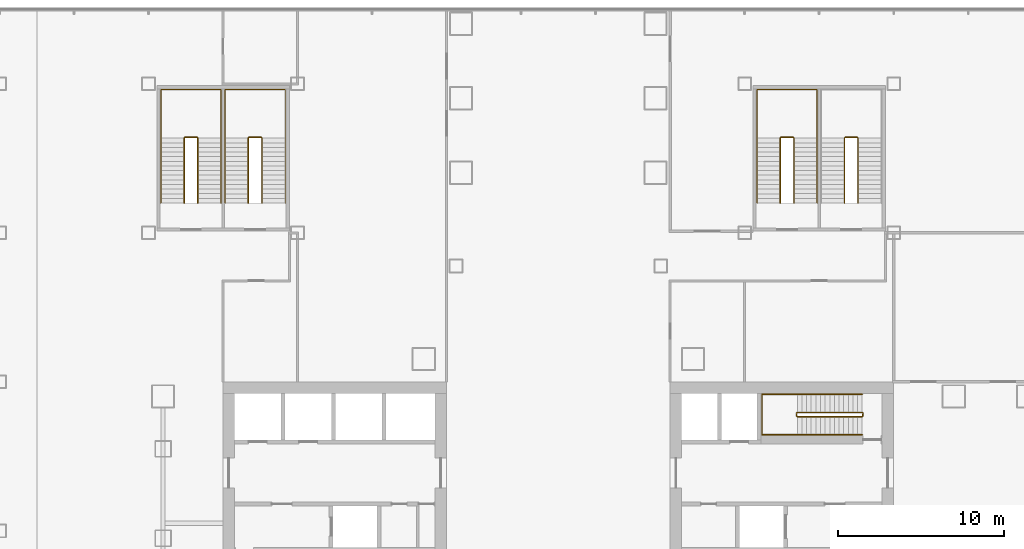
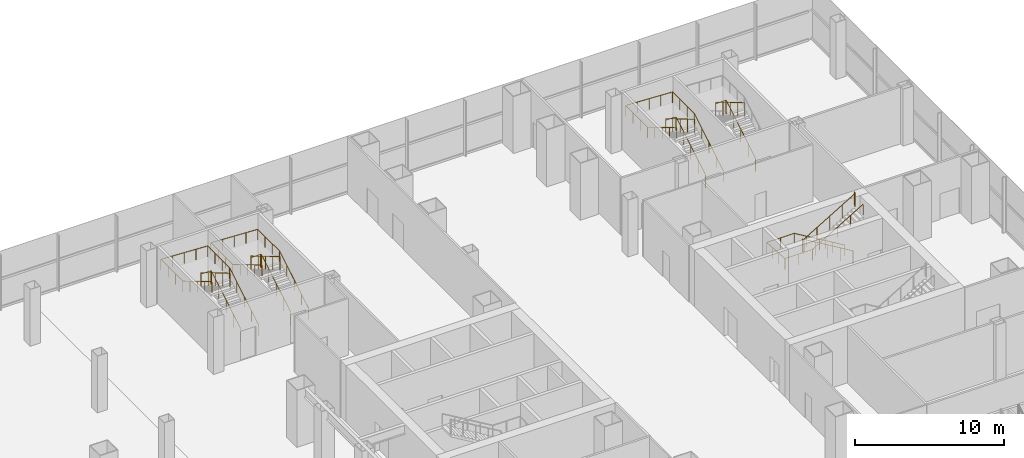
# One storey, part 29 of 30: 9 railings.
"""IFC4 building model written with IfcOpenShell, lengths in metres."""

from ifc_helpers import new_model, si_unit, direction, frame, origin, origin_2d, place, context, subcontext, project, spatial, circle, extrude, material, type_object, element, save


model = new_model("IFC4")

# Units and contexts
model_context = context("Model", 3, precision=1e-05, world=origin(), true_north=direction((0.0, 1.0)))
body_context = subcontext(model_context, "Body", "Model", "MODEL_VIEW")
ifc_project = project(units=[si_unit("LENGTHUNIT", "METRE"), si_unit("AREAUNIT", "SQUARE_METRE"), si_unit("VOLUMEUNIT", "CUBIC_METRE"), si_unit("PLANEANGLEUNIT", "RADIAN"), si_unit("MASSUNIT", "GRAM", prefix="KILO")], contexts=[model_context])

# Site, building, storey
site_placement = place(None, origin())
site = spatial("IfcSite", under=ifc_project, at=site_placement, CompositionType="ELEMENT")
building_placement = place(site_placement, origin())
building = spatial("IfcBuilding", under=site, at=building_placement, Name="Shamsa Quay Exchange Towers", CompositionType="ELEMENT")
storey_placement = place(building_placement, frame((0.0, 0.0, 23.5)))
storey = spatial("IfcBuildingStorey", under=building, at=storey_placement, Name="L04", CompositionType="ELEMENT", Elevation=23.5)

# Railings
ifc_material = material(Name="Stainless steel", Category="steel")
railing_type_1 = type_object("IfcRailingType", Name="STAIR GUARD 1100", PredefinedType="GUARDRAIL", material=ifc_material)
railing_1_placement = place(storey_placement, frame((52.10009765625, 4.89990234375, 0.166748046875)))
element("IfcRailing", 1, at=railing_1_placement, inside=storey, type_object=railing_type_1, Name="L04 ST6 stair guard 1", PredefinedType="GUARDRAIL", context=body_context, shape_type="SweptSolid", body=[
    extrude(circle(Radius=0.02392578125, at=origin_2d()), frame((0.0, 0.0, 1.076171875), z_axis=(-0.859310244771, 0.0, 0.511454693235), x_axis=(0.0, -1.0, 0.0)), (0.0, 0.0, 1.0), 4.56201171875),
    extrude(circle(Radius=0.02392578125, at=origin_2d()), frame((-3.920166015625, 0.0, 3.4091796875), z_axis=(-0.708833529934, -0.705375805398, 0.0), x_axis=(0.705375805398, -0.708833529934, 0.0)), (0.0, 0.0, 1.0), 0.070556640625),
    extrude(circle(Radius=0.02392578125, at=origin_2d()), frame((-3.97021484375, -0.0498046875, 3.4091796875), z_axis=(0.0, -1.0, 0.0), x_axis=(1.0, 0.0, 0.0)), (0.0, 0.0, 1.0), 0.150146484375),
    extrude(circle(Radius=0.02392578125, at=origin_2d()), frame((-3.97021484375, -0.199951171875, 3.4091796875), z_axis=(0.27628659633, -0.27628659633, 0.920506074601), x_axis=(0.707106781187, 0.707106781187, 0.0)), (0.0, 0.0, 1.0), 0.18115234375),
    extrude(circle(Radius=0.02392578125, at=origin_2d()), frame((-3.920166015625, -0.25, 3.576171875), z_axis=(0.859310244771, 0.0, 0.511454693235), x_axis=(0.0, 1.0, 0.0)), (0.0, 0.0, 1.0), 4.56201171875),
    extrude(circle(Radius=0.02392578125, at=origin_2d()), frame((0.0, -0.25, 5.9091796875), z_axis=(0.24142163986, 0.970420317083, 0.0), x_axis=(-0.970420317083, 0.24142163986, 0.0)), (0.0, 0.0, 1.0), 0.206298828125),
    extrude(circle(Radius=0.02392578125, at=origin_2d()), frame((0.0498046875, -0.0498046875, 5.9091796875), z_axis=(0.0, -1.0, 0.0), x_axis=(1.0, 0.0, 0.0)), (0.0, 0.0, 1.0), 0.150146484375),
    extrude(circle(Radius=0.02099609375, at=origin_2d()), origin(), (0.0, 0.0, 1.0), 1.052001953125),
    extrude(circle(Radius=0.02099609375, at=origin_2d()), frame((-0.97998046875, 0.0, 0.583251953125)), (0.0, 0.0, 1.0), 1.052001953125),
    extrude(circle(Radius=0.02099609375, at=origin_2d()), frame((-1.9599609375, 0.0, 1.16650390625)), (0.0, 0.0, 1.0), 1.052001953125),
    extrude(circle(Radius=0.02099609375, at=origin_2d()), frame((-2.940185546875, 0.0, 1.75)), (0.0, 0.0, 1.0), 1.052001953125),
    extrude(circle(Radius=0.02099609375, at=origin_2d()), frame((-3.920166015625, 0.0, 2.333251953125)), (0.0, 0.0, 1.0), 1.052001953125),
    extrude(circle(Radius=0.02099609375, at=origin_2d()), frame((-3.97021484375, -0.0498046875, 2.333251953125)), (0.0, 0.0, 1.0), 1.052001953125),
    extrude(circle(Radius=0.02099609375, at=origin_2d()), frame((-3.97021484375, -0.199951171875, 2.333251953125)), (0.0, 0.0, 1.0), 1.052001953125),
    extrude(circle(Radius=0.02099609375, at=origin_2d()), frame((-3.920166015625, -0.25, 2.5)), (0.0, 0.0, 1.0), 1.052001953125),
    extrude(circle(Radius=0.02099609375, at=origin_2d()), frame((-2.940185546875, -0.25, 3.083251953125)), (0.0, 0.0, 1.0), 1.052001953125),
    extrude(circle(Radius=0.02099609375, at=origin_2d()), frame((-1.9599609375, -0.25, 3.66650390625)), (0.0, 0.0, 1.0), 1.052001953125),
    extrude(circle(Radius=0.02099609375, at=origin_2d()), frame((-0.97998046875, -0.25, 4.25)), (0.0, 0.0, 1.0), 1.052001953125),
    extrude(circle(Radius=0.02099609375, at=origin_2d()), frame((0.0, -0.25, 4.833251953125)), (0.0, 0.0, 1.0), 1.052001953125),
    extrude(circle(Radius=0.02099609375, at=origin_2d()), frame((0.0498046875, -0.0498046875, 4.833251953125)), (0.0, 0.0, 1.0), 1.052001953125),
    extrude(circle(Radius=0.02099609375, at=origin_2d()), frame((0.0498046875, -0.199951171875, 4.833251953125)), (0.0, 0.0, 1.0), 1.052001953125),
])
railing_2_placement = place(storey_placement, frame((11.97509765625, 17.550048828125, 0.166748046875)))
element("IfcRailing", 2, at=railing_2_placement, inside=storey, type_object=railing_type_1, Name="L04 PS3A stair guard 1", PredefinedType="GUARDRAIL", context=body_context, shape_type="SweptSolid", body=[
    extrude(circle(Radius=0.02392578125, at=origin_2d()), frame((0.0, 0.0, 1.076171875), z_axis=(0.0, 0.859296244711, 0.511478214419), x_axis=(-1.0, 0.0, 0.0)), (0.0, 0.0, 1.0), 4.561767578125),
    extrude(circle(Radius=0.02392578125, at=origin_2d()), frame((0.0, 3.919921875, 3.4091796875), z_axis=(-0.707106781187, 0.707106781187, 0.0), x_axis=(-0.707106781187, -0.707106781187, 0.0)), (0.0, 0.0, 1.0), 0.07080078125),
    extrude(circle(Radius=0.02392578125, at=origin_2d()), frame((-0.050048828125, 3.969970703125, 3.4091796875), z_axis=(-1.0, 0.0, 0.0), x_axis=(0.0, -1.0, 0.0)), (0.0, 0.0, 1.0), 0.72509765625),
    extrude(circle(Radius=0.02392578125, at=origin_2d()), frame((-0.775146484375, 3.969970703125, 3.4091796875), z_axis=(-0.27628659633, -0.27628659633, 0.920506074601), x_axis=(0.707106781187, -0.707106781187, 0.0)), (0.0, 0.0, 1.0), 0.18115234375),
    extrude(circle(Radius=0.02392578125, at=origin_2d()), frame((-0.8251953125, 3.919921875, 3.576171875), z_axis=(0.0, -0.859296244711, 0.511478214419), x_axis=(1.0, 0.0, 0.0)), (0.0, 0.0, 1.0), 4.561767578125),
    extrude(circle(Radius=0.02099609375, at=origin_2d()), origin(), (0.0, 0.0, 1.0), 1.052001953125),
    extrude(circle(Radius=0.02099609375, at=origin_2d()), frame((0.0, 0.97998046875, 0.583251953125)), (0.0, 0.0, 1.0), 1.052001953125),
    extrude(circle(Radius=0.02099609375, at=origin_2d()), frame((0.0, 1.9599609375, 1.16650390625)), (0.0, 0.0, 1.0), 1.052001953125),
    extrude(circle(Radius=0.02099609375, at=origin_2d()), frame((0.0, 2.93994140625, 1.75)), (0.0, 0.0, 1.0), 1.052001953125),
    extrude(circle(Radius=0.02099609375, at=origin_2d()), frame((0.0, 3.919921875, 2.333251953125)), (0.0, 0.0, 1.0), 1.052001953125),
    extrude(circle(Radius=0.02099609375, at=origin_2d()), frame((-0.050048828125, 3.969970703125, 2.333251953125)), (0.0, 0.0, 1.0), 1.052001953125),
    extrude(circle(Radius=0.02099609375, at=origin_2d()), frame((-0.775146484375, 3.969970703125, 2.333251953125)), (0.0, 0.0, 1.0), 1.052001953125),
    extrude(circle(Radius=0.02099609375, at=origin_2d()), frame((-0.8251953125, 3.919921875, 2.5)), (0.0, 0.0, 1.0), 1.052001953125),
    extrude(circle(Radius=0.02099609375, at=origin_2d()), frame((-0.8251953125, 2.93994140625, 3.083251953125)), (0.0, 0.0, 1.0), 1.052001953125),
    extrude(circle(Radius=0.02099609375, at=origin_2d()), frame((-0.8251953125, 1.9599609375, 3.66650390625)), (0.0, 0.0, 1.0), 1.052001953125),
    extrude(circle(Radius=0.02099609375, at=origin_2d()), frame((-0.8251953125, 0.97998046875, 4.25)), (0.0, 0.0, 1.0), 1.052001953125),
    extrude(circle(Radius=0.02099609375, at=origin_2d()), frame((-0.8251953125, 0.0, 4.833251953125)), (0.0, 0.0, 1.0), 1.052001953125),
])
railing_3_placement = place(storey_placement, frame((15.85009765625, 17.550048828125, 0.166748046875)))
element("IfcRailing", 3, at=railing_3_placement, inside=storey, type_object=railing_type_1, Name="L04 PS3B stair guard 1", PredefinedType="GUARDRAIL", context=body_context, shape_type="SweptSolid", body=[
    extrude(circle(Radius=0.02392578125, at=origin_2d()), frame((0.0, 0.0, 1.076171875), z_axis=(0.0, 0.859296244711, 0.511478214419), x_axis=(-1.0, 0.0, 0.0)), (0.0, 0.0, 1.0), 4.561767578125),
    extrude(circle(Radius=0.02392578125, at=origin_2d()), frame((0.0, 3.919921875, 3.4091796875), z_axis=(-0.707106781187, 0.707106781187, 0.0), x_axis=(-0.707106781187, -0.707106781187, 0.0)), (0.0, 0.0, 1.0), 0.07080078125),
    extrude(circle(Radius=0.02392578125, at=origin_2d()), frame((-0.050048828125, 3.969970703125, 3.4091796875), z_axis=(-1.0, 0.0, 0.0), x_axis=(0.0, -1.0, 0.0)), (0.0, 0.0, 1.0), 0.72509765625),
    extrude(circle(Radius=0.02392578125, at=origin_2d()), frame((-0.775146484375, 3.969970703125, 3.4091796875), z_axis=(-0.27628659633, -0.27628659633, 0.920506074601), x_axis=(0.707106781187, -0.707106781187, 0.0)), (0.0, 0.0, 1.0), 0.18115234375),
    extrude(circle(Radius=0.02392578125, at=origin_2d()), frame((-0.8251953125, 3.919921875, 3.576171875), z_axis=(0.0, -0.859296244711, 0.511478214419), x_axis=(1.0, 0.0, 0.0)), (0.0, 0.0, 1.0), 4.561767578125),
    extrude(circle(Radius=0.02099609375, at=origin_2d()), origin(), (0.0, 0.0, 1.0), 1.052001953125),
    extrude(circle(Radius=0.02099609375, at=origin_2d()), frame((0.0, 0.97998046875, 0.583251953125)), (0.0, 0.0, 1.0), 1.052001953125),
    extrude(circle(Radius=0.02099609375, at=origin_2d()), frame((0.0, 1.9599609375, 1.16650390625)), (0.0, 0.0, 1.0), 1.052001953125),
    extrude(circle(Radius=0.02099609375, at=origin_2d()), frame((0.0, 2.93994140625, 1.75)), (0.0, 0.0, 1.0), 1.052001953125),
    extrude(circle(Radius=0.02099609375, at=origin_2d()), frame((0.0, 3.919921875, 2.333251953125)), (0.0, 0.0, 1.0), 1.052001953125),
    extrude(circle(Radius=0.02099609375, at=origin_2d()), frame((-0.050048828125, 3.969970703125, 2.333251953125)), (0.0, 0.0, 1.0), 1.052001953125),
    extrude(circle(Radius=0.02099609375, at=origin_2d()), frame((-0.775146484375, 3.969970703125, 2.333251953125)), (0.0, 0.0, 1.0), 1.052001953125),
    extrude(circle(Radius=0.02099609375, at=origin_2d()), frame((-0.8251953125, 3.919921875, 2.5)), (0.0, 0.0, 1.0), 1.052001953125),
    extrude(circle(Radius=0.02099609375, at=origin_2d()), frame((-0.8251953125, 2.93994140625, 3.083251953125)), (0.0, 0.0, 1.0), 1.052001953125),
    extrude(circle(Radius=0.02099609375, at=origin_2d()), frame((-0.8251953125, 1.9599609375, 3.66650390625)), (0.0, 0.0, 1.0), 1.052001953125),
    extrude(circle(Radius=0.02099609375, at=origin_2d()), frame((-0.8251953125, 0.97998046875, 4.25)), (0.0, 0.0, 1.0), 1.052001953125),
    extrude(circle(Radius=0.02099609375, at=origin_2d()), frame((-0.8251953125, 0.0, 4.833251953125)), (0.0, 0.0, 1.0), 1.052001953125),
])
railing_4_placement = place(storey_placement, frame((47.97509765625, 17.550048828125, 0.166748046875)))
element("IfcRailing", 4, at=railing_4_placement, inside=storey, type_object=railing_type_1, Name="L04 PS4A stair guard 1", PredefinedType="GUARDRAIL", context=body_context, shape_type="SweptSolid", body=[
    extrude(circle(Radius=0.02392578125, at=origin_2d()), frame((0.0, 0.0, 1.076171875), z_axis=(0.0, 0.859296244711, 0.511478214419), x_axis=(-1.0, 0.0, 0.0)), (0.0, 0.0, 1.0), 4.561767578125),
    extrude(circle(Radius=0.02392578125, at=origin_2d()), frame((0.0, 3.919921875, 3.4091796875), z_axis=(-0.707106781187, 0.707106781187, 0.0), x_axis=(-0.707106781187, -0.707106781187, 0.0)), (0.0, 0.0, 1.0), 0.07080078125),
    extrude(circle(Radius=0.02392578125, at=origin_2d()), frame((-0.050048828125, 3.969970703125, 3.4091796875), z_axis=(-1.0, 0.0, 0.0), x_axis=(0.0, -1.0, 0.0)), (0.0, 0.0, 1.0), 0.72509765625),
    extrude(circle(Radius=0.02392578125, at=origin_2d()), frame((-0.775146484375, 3.969970703125, 3.4091796875), z_axis=(-0.27628659633, -0.27628659633, 0.920506074601), x_axis=(0.707106781187, -0.707106781187, 0.0)), (0.0, 0.0, 1.0), 0.18115234375),
    extrude(circle(Radius=0.02392578125, at=origin_2d()), frame((-0.8251953125, 3.919921875, 3.576171875), z_axis=(0.0, -0.859296244711, 0.511478214419), x_axis=(1.0, 0.0, 0.0)), (0.0, 0.0, 1.0), 4.561767578125),
    extrude(circle(Radius=0.02099609375, at=origin_2d()), origin(), (0.0, 0.0, 1.0), 1.052001953125),
    extrude(circle(Radius=0.02099609375, at=origin_2d()), frame((0.0, 0.97998046875, 0.583251953125)), (0.0, 0.0, 1.0), 1.052001953125),
    extrude(circle(Radius=0.02099609375, at=origin_2d()), frame((0.0, 1.9599609375, 1.16650390625)), (0.0, 0.0, 1.0), 1.052001953125),
    extrude(circle(Radius=0.02099609375, at=origin_2d()), frame((0.0, 2.93994140625, 1.75)), (0.0, 0.0, 1.0), 1.052001953125),
    extrude(circle(Radius=0.02099609375, at=origin_2d()), frame((0.0, 3.919921875, 2.333251953125)), (0.0, 0.0, 1.0), 1.052001953125),
    extrude(circle(Radius=0.02099609375, at=origin_2d()), frame((-0.050048828125, 3.969970703125, 2.333251953125)), (0.0, 0.0, 1.0), 1.052001953125),
    extrude(circle(Radius=0.02099609375, at=origin_2d()), frame((-0.775146484375, 3.969970703125, 2.333251953125)), (0.0, 0.0, 1.0), 1.052001953125),
    extrude(circle(Radius=0.02099609375, at=origin_2d()), frame((-0.8251953125, 3.919921875, 2.5)), (0.0, 0.0, 1.0), 1.052001953125),
    extrude(circle(Radius=0.02099609375, at=origin_2d()), frame((-0.8251953125, 2.93994140625, 3.083251953125)), (0.0, 0.0, 1.0), 1.052001953125),
    extrude(circle(Radius=0.02099609375, at=origin_2d()), frame((-0.8251953125, 1.9599609375, 3.66650390625)), (0.0, 0.0, 1.0), 1.052001953125),
    extrude(circle(Radius=0.02099609375, at=origin_2d()), frame((-0.8251953125, 0.97998046875, 4.25)), (0.0, 0.0, 1.0), 1.052001953125),
    extrude(circle(Radius=0.02099609375, at=origin_2d()), frame((-0.8251953125, 0.0, 4.833251953125)), (0.0, 0.0, 1.0), 1.052001953125),
])
railing_5_placement = place(storey_placement, frame((51.85009765625, 17.550048828125, 0.166748046875)))
element("IfcRailing", 5, at=railing_5_placement, inside=storey, type_object=railing_type_1, Name="L04 PS4B stair guard 1", PredefinedType="GUARDRAIL", context=body_context, shape_type="SweptSolid", body=[
    extrude(circle(Radius=0.02392578125, at=origin_2d()), frame((0.0, 0.0, 1.076171875), z_axis=(0.0, 0.859296244711, 0.511478214419), x_axis=(-1.0, 0.0, 0.0)), (0.0, 0.0, 1.0), 4.561767578125),
    extrude(circle(Radius=0.02392578125, at=origin_2d()), frame((0.0, 3.919921875, 3.4091796875), z_axis=(-0.707106781187, 0.707106781187, 0.0), x_axis=(-0.707106781187, -0.707106781187, 0.0)), (0.0, 0.0, 1.0), 0.07080078125),
    extrude(circle(Radius=0.02392578125, at=origin_2d()), frame((-0.050048828125, 3.969970703125, 3.4091796875), z_axis=(-1.0, 0.0, 0.0), x_axis=(0.0, -1.0, 0.0)), (0.0, 0.0, 1.0), 0.72509765625),
    extrude(circle(Radius=0.02392578125, at=origin_2d()), frame((-0.775146484375, 3.969970703125, 3.4091796875), z_axis=(-0.27628659633, -0.27628659633, 0.920506074601), x_axis=(0.707106781187, -0.707106781187, 0.0)), (0.0, 0.0, 1.0), 0.18115234375),
    extrude(circle(Radius=0.02392578125, at=origin_2d()), frame((-0.8251953125, 3.919921875, 3.576171875), z_axis=(0.0, -0.859296244711, 0.511478214419), x_axis=(1.0, 0.0, 0.0)), (0.0, 0.0, 1.0), 4.561767578125),
    extrude(circle(Radius=0.02099609375, at=origin_2d()), origin(), (0.0, 0.0, 1.0), 1.052001953125),
    extrude(circle(Radius=0.02099609375, at=origin_2d()), frame((0.0, 0.97998046875, 0.583251953125)), (0.0, 0.0, 1.0), 1.052001953125),
    extrude(circle(Radius=0.02099609375, at=origin_2d()), frame((0.0, 1.9599609375, 1.16650390625)), (0.0, 0.0, 1.0), 1.052001953125),
    extrude(circle(Radius=0.02099609375, at=origin_2d()), frame((0.0, 2.93994140625, 1.75)), (0.0, 0.0, 1.0), 1.052001953125),
    extrude(circle(Radius=0.02099609375, at=origin_2d()), frame((0.0, 3.919921875, 2.333251953125)), (0.0, 0.0, 1.0), 1.052001953125),
    extrude(circle(Radius=0.02099609375, at=origin_2d()), frame((-0.050048828125, 3.969970703125, 2.333251953125)), (0.0, 0.0, 1.0), 1.052001953125),
    extrude(circle(Radius=0.02099609375, at=origin_2d()), frame((-0.775146484375, 3.969970703125, 2.333251953125)), (0.0, 0.0, 1.0), 1.052001953125),
    extrude(circle(Radius=0.02099609375, at=origin_2d()), frame((-0.8251953125, 3.919921875, 2.5)), (0.0, 0.0, 1.0), 1.052001953125),
    extrude(circle(Radius=0.02099609375, at=origin_2d()), frame((-0.8251953125, 2.93994140625, 3.083251953125)), (0.0, 0.0, 1.0), 1.052001953125),
    extrude(circle(Radius=0.02099609375, at=origin_2d()), frame((-0.8251953125, 1.9599609375, 3.66650390625)), (0.0, 0.0, 1.0), 1.052001953125),
    extrude(circle(Radius=0.02099609375, at=origin_2d()), frame((-0.8251953125, 0.97998046875, 4.25)), (0.0, 0.0, 1.0), 1.052001953125),
    extrude(circle(Radius=0.02099609375, at=origin_2d()), frame((-0.8251953125, 0.0, 4.833251953125)), (0.0, 0.0, 1.0), 1.052001953125),
])
railing_type_2 = type_object("IfcRailingType", Name="STAIR HANDRAIL 900", PredefinedType="HANDRAIL", material=ifc_material)
railing_6_placement = place(storey_placement, frame((52.10009765625, 6.0, 0.166748046875)))
element("IfcRailing", 6, at=railing_6_placement, inside=storey, type_object=railing_type_2, Name="L04 ST6 stair handrail 1", PredefinedType="HANDRAIL", context=body_context, shape_type="SweptSolid", body=[
    extrude(circle(Radius=0.02392578125, at=origin_2d()), frame((0.0, 0.0, 0.8759765625), z_axis=(-0.859310244771, 0.0, 0.511454693235), x_axis=(0.0, -1.0, 0.0)), (0.0, 0.0, 1.0), 4.56201171875),
    extrude(circle(Radius=0.02392578125, at=origin_2d()), frame((-3.920166015625, 0.0, 3.208984375), z_axis=(-1.0, 0.0, 0.0), x_axis=(0.0, -1.0, 0.0)), (0.0, 0.0, 1.0), 2.1298828125),
    extrude(circle(Radius=0.02392578125, at=origin_2d()), frame((-6.050048828125, 0.0, 3.208984375), z_axis=(0.0, -0.997691813052, 0.067904684436), x_axis=(1.0, 0.0, 0.0)), (0.0, 0.0, 1.0), 2.45556640625),
    extrude(circle(Radius=0.02392578125, at=origin_2d()), frame((-6.050048828125, -2.449951171875, 3.3759765625), z_axis=(1.0, 0.0, 0.0), x_axis=(0.0, 1.0, 0.0)), (0.0, 0.0, 1.0), 2.1298828125),
    extrude(circle(Radius=0.02392578125, at=origin_2d()), frame((-3.920166015625, -2.449951171875, 3.3759765625), z_axis=(0.859310244771, 0.0, 0.511454693235), x_axis=(0.0, 1.0, 0.0)), (0.0, 0.0, 1.0), 4.56201171875),
    extrude(circle(Radius=0.02099609375, at=origin_2d()), origin(), (0.0, 0.0, 1.0), 0.851806640625),
    extrude(circle(Radius=0.02099609375, at=origin_2d()), frame((-0.97998046875, 0.0, 0.583251953125)), (0.0, 0.0, 1.0), 0.851806640625),
    extrude(circle(Radius=0.02099609375, at=origin_2d()), frame((-1.9599609375, 0.0, 1.16650390625)), (0.0, 0.0, 1.0), 0.851806640625),
    extrude(circle(Radius=0.02099609375, at=origin_2d()), frame((-2.940185546875, 0.0, 1.75)), (0.0, 0.0, 1.0), 0.851806640625),
    extrude(circle(Radius=0.02099609375, at=origin_2d()), frame((-3.920166015625, 0.0, 2.333251953125)), (0.0, 0.0, 1.0), 0.851806640625),
    extrude(circle(Radius=0.02099609375, at=origin_2d()), frame((-4.985107421875, 0.0, 2.333251953125)), (0.0, 0.0, 1.0), 0.851806640625),
    extrude(circle(Radius=0.02099609375, at=origin_2d()), frame((-6.050048828125, 0.0, 2.333251953125)), (0.0, 0.0, 1.0), 0.851806640625),
    extrude(circle(Radius=0.02099609375, at=origin_2d()), frame((-6.050048828125, -0.816650390625, 2.388916015625)), (0.0, 0.0, 1.0), 0.851806640625),
    extrude(circle(Radius=0.02099609375, at=origin_2d()), frame((-6.050048828125, -1.63330078125, 2.4443359375)), (0.0, 0.0, 1.0), 0.851806640625),
    extrude(circle(Radius=0.02099609375, at=origin_2d()), frame((-6.050048828125, -2.449951171875, 2.5)), (0.0, 0.0, 1.0), 0.851806640625),
    extrude(circle(Radius=0.02099609375, at=origin_2d()), frame((-4.985107421875, -2.449951171875, 2.5)), (0.0, 0.0, 1.0), 0.851806640625),
    extrude(circle(Radius=0.02099609375, at=origin_2d()), frame((-3.920166015625, -2.449951171875, 2.5)), (0.0, 0.0, 1.0), 0.851806640625),
    extrude(circle(Radius=0.02099609375, at=origin_2d()), frame((-2.940185546875, -2.449951171875, 3.083251953125)), (0.0, 0.0, 1.0), 0.851806640625),
    extrude(circle(Radius=0.02099609375, at=origin_2d()), frame((-1.9599609375, -2.449951171875, 3.66650390625)), (0.0, 0.0, 1.0), 0.851806640625),
    extrude(circle(Radius=0.02099609375, at=origin_2d()), frame((-0.97998046875, -2.449951171875, 4.25)), (0.0, 0.0, 1.0), 0.851806640625),
    extrude(circle(Radius=0.02099609375, at=origin_2d()), frame((0.0, -2.449951171875, 4.833251953125)), (0.0, 0.0, 1.0), 0.851806640625),
])
railing_7_placement = place(storey_placement, frame((13.375, 17.550048828125, 0.166748046875)))
element("IfcRailing", 7, at=railing_7_placement, inside=storey, type_object=railing_type_2, Name="L04 PS3A stair handrail 1", PredefinedType="HANDRAIL", context=body_context, shape_type="SweptSolid", body=[
    extrude(circle(Radius=0.02392578125, at=origin_2d()), frame((0.0, 0.0, 0.8759765625), z_axis=(0.0, 0.859296244711, 0.511478214419), x_axis=(-1.0, 0.0, 0.0)), (0.0, 0.0, 1.0), 4.561767578125),
    extrude(circle(Radius=0.02392578125, at=origin_2d()), frame((0.0, 3.919921875, 3.208984375), z_axis=(0.0, 1.0, 0.0), x_axis=(-1.0, 0.0, 0.0)), (0.0, 0.0, 1.0), 2.929931640625),
    extrude(circle(Radius=0.02392578125, at=origin_2d()), frame((0.0, 6.849853515625, 3.208984375), z_axis=(-0.998943700797, 0.0, 0.045950872013), x_axis=(0.0, -1.0, 0.0)), (0.0, 0.0, 1.0), 3.62890625),
    extrude(circle(Radius=0.02392578125, at=origin_2d()), frame((-3.625, 6.849853515625, 3.3759765625), z_axis=(0.0, -1.0, 0.0), x_axis=(1.0, 0.0, 0.0)), (0.0, 0.0, 1.0), 2.929931640625),
    extrude(circle(Radius=0.02392578125, at=origin_2d()), frame((-3.625, 3.919921875, 3.3759765625), z_axis=(0.0, -0.859296244711, 0.511478214419), x_axis=(1.0, 0.0, 0.0)), (0.0, 0.0, 1.0), 4.561767578125),
    extrude(circle(Radius=0.02099609375, at=origin_2d()), origin(), (0.0, 0.0, 1.0), 0.851806640625),
    extrude(circle(Radius=0.02099609375, at=origin_2d()), frame((0.0, 0.97998046875, 0.583251953125)), (0.0, 0.0, 1.0), 0.851806640625),
    extrude(circle(Radius=0.02099609375, at=origin_2d()), frame((0.0, 1.9599609375, 1.16650390625)), (0.0, 0.0, 1.0), 0.851806640625),
    extrude(circle(Radius=0.02099609375, at=origin_2d()), frame((0.0, 2.93994140625, 1.75)), (0.0, 0.0, 1.0), 0.851806640625),
    extrude(circle(Radius=0.02099609375, at=origin_2d()), frame((0.0, 3.919921875, 2.333251953125)), (0.0, 0.0, 1.0), 0.851806640625),
    extrude(circle(Radius=0.02099609375, at=origin_2d()), frame((0.0, 4.896484375, 2.333251953125)), (0.0, 0.0, 1.0), 0.851806640625),
    extrude(circle(Radius=0.02099609375, at=origin_2d()), frame((0.0, 5.873291015625, 2.333251953125)), (0.0, 0.0, 1.0), 0.851806640625),
    extrude(circle(Radius=0.02099609375, at=origin_2d()), frame((0.0, 6.849853515625, 2.333251953125)), (0.0, 0.0, 1.0), 0.851806640625),
    extrude(circle(Radius=0.02099609375, at=origin_2d()), frame((-0.90625, 6.849853515625, 2.375)), (0.0, 0.0, 1.0), 0.851806640625),
    extrude(circle(Radius=0.02099609375, at=origin_2d()), frame((-1.8125, 6.849853515625, 2.41650390625)), (0.0, 0.0, 1.0), 0.851806640625),
    extrude(circle(Radius=0.02099609375, at=origin_2d()), frame((-2.71875, 6.849853515625, 2.458251953125)), (0.0, 0.0, 1.0), 0.851806640625),
    extrude(circle(Radius=0.02099609375, at=origin_2d()), frame((-3.625, 6.849853515625, 2.5)), (0.0, 0.0, 1.0), 0.851806640625),
    extrude(circle(Radius=0.02099609375, at=origin_2d()), frame((-3.625, 5.873291015625, 2.5)), (0.0, 0.0, 1.0), 0.851806640625),
    extrude(circle(Radius=0.02099609375, at=origin_2d()), frame((-3.625, 4.896484375, 2.5)), (0.0, 0.0, 1.0), 0.851806640625),
    extrude(circle(Radius=0.02099609375, at=origin_2d()), frame((-3.625, 3.919921875, 2.5)), (0.0, 0.0, 1.0), 0.851806640625),
    extrude(circle(Radius=0.02099609375, at=origin_2d()), frame((-3.625, 2.93994140625, 3.083251953125)), (0.0, 0.0, 1.0), 0.851806640625),
    extrude(circle(Radius=0.02099609375, at=origin_2d()), frame((-3.625, 1.9599609375, 3.66650390625)), (0.0, 0.0, 1.0), 0.851806640625),
    extrude(circle(Radius=0.02099609375, at=origin_2d()), frame((-3.625, 0.97998046875, 4.25)), (0.0, 0.0, 1.0), 0.851806640625),
    extrude(circle(Radius=0.02099609375, at=origin_2d()), frame((-3.625, 0.0, 4.833251953125)), (0.0, 0.0, 1.0), 0.851806640625),
])
railing_8_placement = place(storey_placement, frame((17.25, 17.550048828125, 0.166748046875)))
element("IfcRailing", 8, at=railing_8_placement, inside=storey, type_object=railing_type_2, Name="L04 PS3B stair handrail 1", PredefinedType="HANDRAIL", context=body_context, shape_type="SweptSolid", body=[
    extrude(circle(Radius=0.02392578125, at=origin_2d()), frame((0.0, 0.0, 0.8759765625), z_axis=(0.0, 0.859296244711, 0.511478214419), x_axis=(-1.0, 0.0, 0.0)), (0.0, 0.0, 1.0), 4.561767578125),
    extrude(circle(Radius=0.02392578125, at=origin_2d()), frame((0.0, 3.919921875, 3.208984375), z_axis=(0.0, 1.0, 0.0), x_axis=(-1.0, 0.0, 0.0)), (0.0, 0.0, 1.0), 2.929931640625),
    extrude(circle(Radius=0.02392578125, at=origin_2d()), frame((0.0, 6.849853515625, 3.208984375), z_axis=(-0.998943700797, 0.0, 0.045950872013), x_axis=(0.0, -1.0, 0.0)), (0.0, 0.0, 1.0), 3.62890625),
    extrude(circle(Radius=0.02392578125, at=origin_2d()), frame((-3.625, 6.849853515625, 3.3759765625), z_axis=(0.0, -1.0, 0.0), x_axis=(1.0, 0.0, 0.0)), (0.0, 0.0, 1.0), 2.929931640625),
    extrude(circle(Radius=0.02392578125, at=origin_2d()), frame((-3.625, 3.919921875, 3.3759765625), z_axis=(0.0, -0.859296244711, 0.511478214419), x_axis=(1.0, 0.0, 0.0)), (0.0, 0.0, 1.0), 4.561767578125),
    extrude(circle(Radius=0.02099609375, at=origin_2d()), origin(), (0.0, 0.0, 1.0), 0.851806640625),
    extrude(circle(Radius=0.02099609375, at=origin_2d()), frame((0.0, 0.97998046875, 0.583251953125)), (0.0, 0.0, 1.0), 0.851806640625),
    extrude(circle(Radius=0.02099609375, at=origin_2d()), frame((0.0, 1.9599609375, 1.16650390625)), (0.0, 0.0, 1.0), 0.851806640625),
    extrude(circle(Radius=0.02099609375, at=origin_2d()), frame((0.0, 2.93994140625, 1.75)), (0.0, 0.0, 1.0), 0.851806640625),
    extrude(circle(Radius=0.02099609375, at=origin_2d()), frame((0.0, 3.919921875, 2.333251953125)), (0.0, 0.0, 1.0), 0.851806640625),
    extrude(circle(Radius=0.02099609375, at=origin_2d()), frame((0.0, 4.896484375, 2.333251953125)), (0.0, 0.0, 1.0), 0.851806640625),
    extrude(circle(Radius=0.02099609375, at=origin_2d()), frame((0.0, 5.873291015625, 2.333251953125)), (0.0, 0.0, 1.0), 0.851806640625),
    extrude(circle(Radius=0.02099609375, at=origin_2d()), frame((0.0, 6.849853515625, 2.333251953125)), (0.0, 0.0, 1.0), 0.851806640625),
    extrude(circle(Radius=0.02099609375, at=origin_2d()), frame((-0.90625, 6.849853515625, 2.375)), (0.0, 0.0, 1.0), 0.851806640625),
    extrude(circle(Radius=0.02099609375, at=origin_2d()), frame((-1.8125, 6.849853515625, 2.41650390625)), (0.0, 0.0, 1.0), 0.851806640625),
    extrude(circle(Radius=0.02099609375, at=origin_2d()), frame((-2.71875, 6.849853515625, 2.458251953125)), (0.0, 0.0, 1.0), 0.851806640625),
    extrude(circle(Radius=0.02099609375, at=origin_2d()), frame((-3.625, 6.849853515625, 2.5)), (0.0, 0.0, 1.0), 0.851806640625),
    extrude(circle(Radius=0.02099609375, at=origin_2d()), frame((-3.625, 5.873291015625, 2.5)), (0.0, 0.0, 1.0), 0.851806640625),
    extrude(circle(Radius=0.02099609375, at=origin_2d()), frame((-3.625, 4.896484375, 2.5)), (0.0, 0.0, 1.0), 0.851806640625),
    extrude(circle(Radius=0.02099609375, at=origin_2d()), frame((-3.625, 3.919921875, 2.5)), (0.0, 0.0, 1.0), 0.851806640625),
    extrude(circle(Radius=0.02099609375, at=origin_2d()), frame((-3.625, 2.93994140625, 3.083251953125)), (0.0, 0.0, 1.0), 0.851806640625),
    extrude(circle(Radius=0.02099609375, at=origin_2d()), frame((-3.625, 1.9599609375, 3.66650390625)), (0.0, 0.0, 1.0), 0.851806640625),
    extrude(circle(Radius=0.02099609375, at=origin_2d()), frame((-3.625, 0.97998046875, 4.25)), (0.0, 0.0, 1.0), 0.851806640625),
    extrude(circle(Radius=0.02099609375, at=origin_2d()), frame((-3.625, 0.0, 4.833251953125)), (0.0, 0.0, 1.0), 0.851806640625),
])
railing_9_placement = place(storey_placement, frame((49.375, 17.550048828125, 0.166748046875)))
element("IfcRailing", 9, at=railing_9_placement, inside=storey, type_object=railing_type_2, Name="L04 PS4A stair handrail 1", PredefinedType="HANDRAIL", context=body_context, shape_type="SweptSolid", body=[
    extrude(circle(Radius=0.02392578125, at=origin_2d()), frame((0.0, 0.0, 0.8759765625), z_axis=(0.0, 0.859296244711, 0.511478214419), x_axis=(-1.0, 0.0, 0.0)), (0.0, 0.0, 1.0), 4.561767578125),
    extrude(circle(Radius=0.02392578125, at=origin_2d()), frame((0.0, 3.919921875, 3.208984375), z_axis=(0.0, 1.0, 0.0), x_axis=(-1.0, 0.0, 0.0)), (0.0, 0.0, 1.0), 2.929931640625),
    extrude(circle(Radius=0.02392578125, at=origin_2d()), frame((0.0, 6.849853515625, 3.208984375), z_axis=(-0.998943700797, 0.0, 0.045950872013), x_axis=(0.0, -1.0, 0.0)), (0.0, 0.0, 1.0), 3.62890625),
    extrude(circle(Radius=0.02392578125, at=origin_2d()), frame((-3.625, 6.849853515625, 3.3759765625), z_axis=(0.0, -1.0, 0.0), x_axis=(1.0, 0.0, 0.0)), (0.0, 0.0, 1.0), 2.929931640625),
    extrude(circle(Radius=0.02392578125, at=origin_2d()), frame((-3.625, 3.919921875, 3.3759765625), z_axis=(0.0, -0.859296244711, 0.511478214419), x_axis=(1.0, 0.0, 0.0)), (0.0, 0.0, 1.0), 4.561767578125),
    extrude(circle(Radius=0.02099609375, at=origin_2d()), origin(), (0.0, 0.0, 1.0), 0.851806640625),
    extrude(circle(Radius=0.02099609375, at=origin_2d()), frame((0.0, 0.97998046875, 0.583251953125)), (0.0, 0.0, 1.0), 0.851806640625),
    extrude(circle(Radius=0.02099609375, at=origin_2d()), frame((0.0, 1.9599609375, 1.16650390625)), (0.0, 0.0, 1.0), 0.851806640625),
    extrude(circle(Radius=0.02099609375, at=origin_2d()), frame((0.0, 2.93994140625, 1.75)), (0.0, 0.0, 1.0), 0.851806640625),
    extrude(circle(Radius=0.02099609375, at=origin_2d()), frame((0.0, 3.919921875, 2.333251953125)), (0.0, 0.0, 1.0), 0.851806640625),
    extrude(circle(Radius=0.02099609375, at=origin_2d()), frame((0.0, 4.896484375, 2.333251953125)), (0.0, 0.0, 1.0), 0.851806640625),
    extrude(circle(Radius=0.02099609375, at=origin_2d()), frame((0.0, 5.873291015625, 2.333251953125)), (0.0, 0.0, 1.0), 0.851806640625),
    extrude(circle(Radius=0.02099609375, at=origin_2d()), frame((0.0, 6.849853515625, 2.333251953125)), (0.0, 0.0, 1.0), 0.851806640625),
    extrude(circle(Radius=0.02099609375, at=origin_2d()), frame((-0.90625, 6.849853515625, 2.375)), (0.0, 0.0, 1.0), 0.851806640625),
    extrude(circle(Radius=0.02099609375, at=origin_2d()), frame((-1.8125, 6.849853515625, 2.41650390625)), (0.0, 0.0, 1.0), 0.851806640625),
    extrude(circle(Radius=0.02099609375, at=origin_2d()), frame((-2.71875, 6.849853515625, 2.458251953125)), (0.0, 0.0, 1.0), 0.851806640625),
    extrude(circle(Radius=0.02099609375, at=origin_2d()), frame((-3.625, 6.849853515625, 2.5)), (0.0, 0.0, 1.0), 0.851806640625),
    extrude(circle(Radius=0.02099609375, at=origin_2d()), frame((-3.625, 5.873291015625, 2.5)), (0.0, 0.0, 1.0), 0.851806640625),
    extrude(circle(Radius=0.02099609375, at=origin_2d()), frame((-3.625, 4.896484375, 2.5)), (0.0, 0.0, 1.0), 0.851806640625),
    extrude(circle(Radius=0.02099609375, at=origin_2d()), frame((-3.625, 3.919921875, 2.5)), (0.0, 0.0, 1.0), 0.851806640625),
    extrude(circle(Radius=0.02099609375, at=origin_2d()), frame((-3.625, 2.93994140625, 3.083251953125)), (0.0, 0.0, 1.0), 0.851806640625),
    extrude(circle(Radius=0.02099609375, at=origin_2d()), frame((-3.625, 1.9599609375, 3.66650390625)), (0.0, 0.0, 1.0), 0.851806640625),
    extrude(circle(Radius=0.02099609375, at=origin_2d()), frame((-3.625, 0.97998046875, 4.25)), (0.0, 0.0, 1.0), 0.851806640625),
    extrude(circle(Radius=0.02099609375, at=origin_2d()), frame((-3.625, 0.0, 4.833251953125)), (0.0, 0.0, 1.0), 0.851806640625),
])

save(model, "model.ifc")
